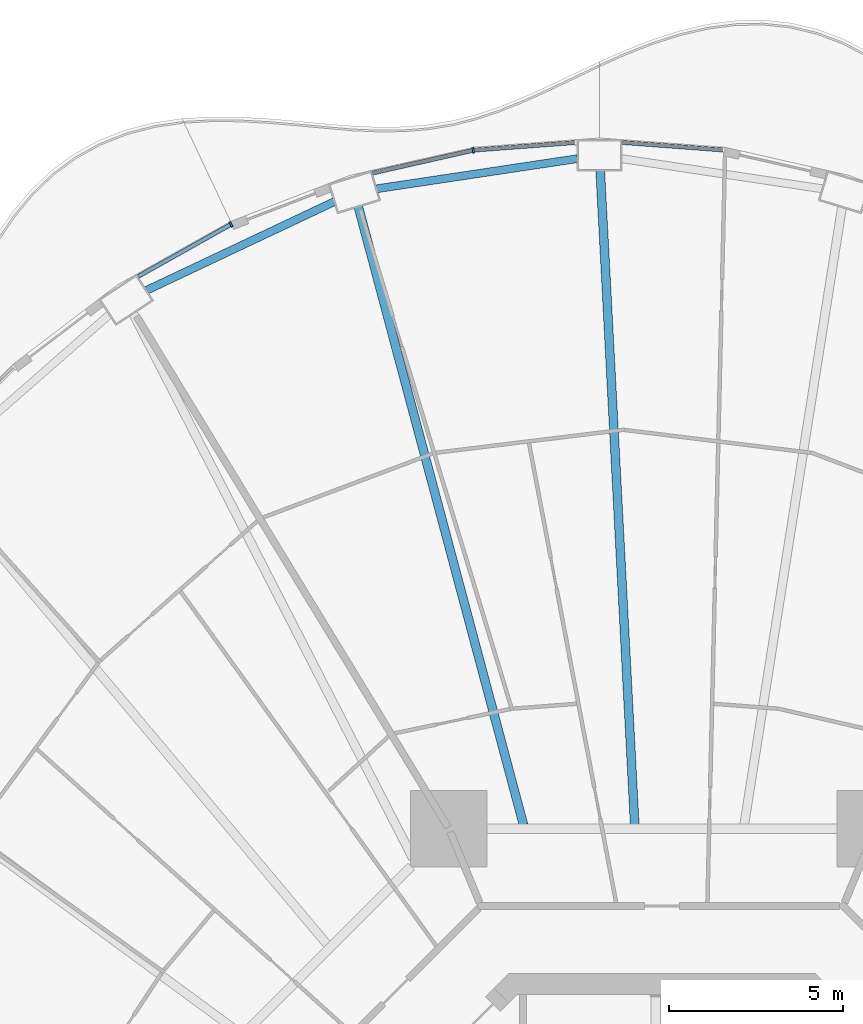
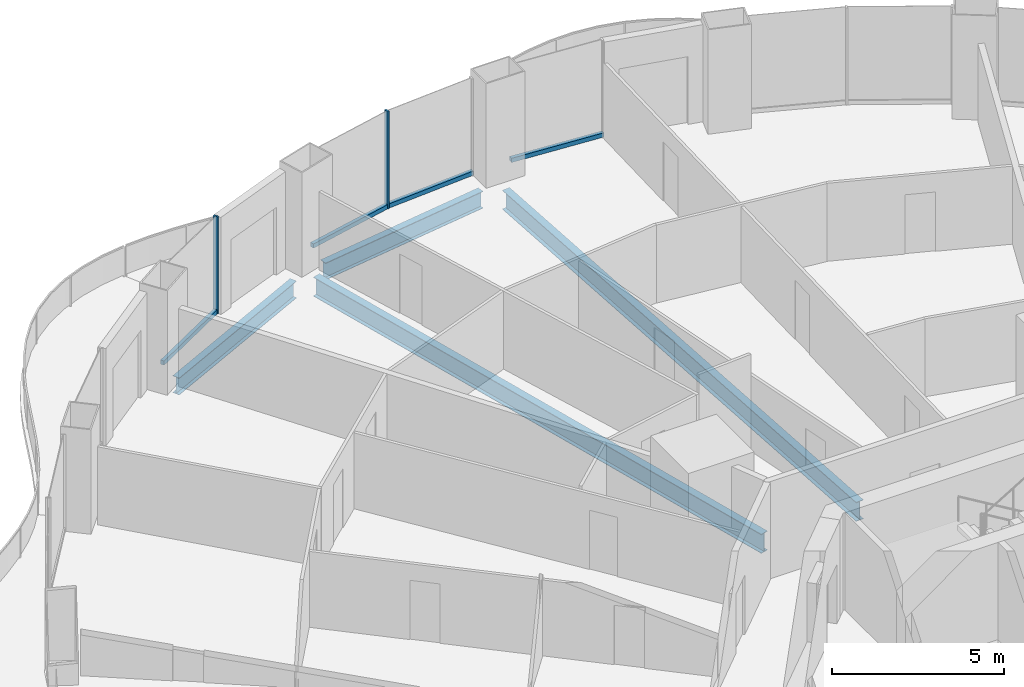
# One storey, part 9 of 22: 6 members, 4 beams, 4 elements without a shape of their own.
"""IFC4 building model written with IfcOpenShell, lengths in metres."""

from ifc_helpers import new_model, si_unit, direction, frame, origin, origin_2d, place, context, subcontext, project, spatial, rectangle, i_section, extrude, material, layer, layer_set, material_profile, profile_set, type_object, element, aggregate, save


model = new_model("IFC4")

# Units and contexts
model_context = context("Model", 3, precision=1e-05, world=origin(), true_north=direction((0.0, 1.0)))
body_context = subcontext(model_context, "Body", "Model", "MODEL_VIEW")
ifc_project = project(units=[si_unit("LENGTHUNIT", "METRE"), si_unit("AREAUNIT", "SQUARE_METRE"), si_unit("VOLUMEUNIT", "CUBIC_METRE"), si_unit("PLANEANGLEUNIT", "RADIAN"), si_unit("MASSUNIT", "GRAM", prefix="KILO")], contexts=[model_context])

# Site, building, storey
site_placement = place(None, origin())
site = spatial("IfcSite", under=ifc_project, at=site_placement, CompositionType="ELEMENT")
building_placement = place(site_placement, origin())
building = spatial("IfcBuilding", under=site, at=building_placement, Name="Nagisa Residences", CompositionType="ELEMENT")
storey_placement = place(building_placement, frame((0.0, 0.0, 95.5)))
storey = spatial("IfcBuildingStorey", under=building, at=storey_placement, Name="L23", CompositionType="ELEMENT", Elevation=95.5)

# Curtain wall, member
ifc_material_1 = material(Name="Concrete-coloured aluminium curtain wall system", Category="concrete")
ifc_layer = layer(ifc_material_1, 0.159912109375)
ifc_layer_set = layer_set([ifc_layer], Name="CW1 CURTAIN WALL")
curtain_wall_type = type_object("IfcCurtainWallType", Name="CW1 CURTAIN WALL", PredefinedType="NOTDEFINED", material=ifc_layer_set)
curtain_wall_1_placement = place(storey_placement, origin())
curtain_wall_1 = element("IfcCurtainWall", 1, at=curtain_wall_1_placement, inside=storey, type_object=curtain_wall_type, Name="cw:CW1:L23:13", PredefinedType="NOTDEFINED")
ifc_material_2 = material(Name="Concrete-coloured aluminium", Category="concrete")
ifc_material_profile_1 = material_profile(ifc_material_2, rectangle(XDim=0.159912109375, YDim=0.06005859375, at=origin_2d()), Name="CW1 MULLION 160x60")
ifc_profile_set_1 = profile_set([ifc_material_profile_1], Name="Concrete-coloured aluminium")
member_type_1 = type_object("IfcMemberType", Name="CW1 MULLION 160x60", PredefinedType="MULLION", material=ifc_profile_set_1)
member_1_placement = place(storey_placement, frame((-5.426513671875, 34.2783203125, 0.0), z_axis=(0.0, 0.0, 1.0), x_axis=(0.2207639201, -0.975327274089, 0.0)))
member_1 = element("IfcMember", 2, at=member_1_placement, type_object=member_type_1, Name="CW1 mullion", PredefinedType="MULLION", context=body_context, shape_type="SweptSolid", body=[
    extrude(rectangle(XDim=0.159912109375, YDim=0.06005859375, at=origin_2d()), origin(), (0.0, 0.0, 1.0), 3.43994140625),
])

curtain_wall_2_placement = place(storey_placement, origin())
curtain_wall_2 = element("IfcCurtainWall", 3, at=curtain_wall_2_placement, inside=storey, type_object=curtain_wall_type, Name="cw:CW1:L23:15", PredefinedType="NOTDEFINED")
member_2_placement = place(storey_placement, frame((-12.385498046875, 32.1494140625, 0.0), z_axis=(0.0, 0.0, 1.0), x_axis=(0.489376918501, -0.872072377523, 0.0)))
member_2 = element("IfcMember", 4, at=member_2_placement, type_object=member_type_1, Name="CW1 mullion", PredefinedType="MULLION", context=body_context, shape_type="SweptSolid", body=[
    extrude(rectangle(XDim=0.159912109375, YDim=0.06005859375, at=origin_2d()), origin(), (0.0, 0.0, 1.0), 3.43994140625),
])

curtain_wall_3_placement = place(storey_placement, origin())
curtain_wall_3 = element("IfcCurtainWall", 5, at=curtain_wall_3_placement, inside=storey, type_object=curtain_wall_type, Name="cw:CW1:L23:11", PredefinedType="NOTDEFINED")
ifc_material_3 = material(Name="Concrete-coloured aluminium", Category="concrete")
ifc_material_profile_2 = material_profile(ifc_material_3, rectangle(XDim=0.1201171875, YDim=0.14990234375, at=origin_2d()), Name="CW1 TRANSOM 120x150")
ifc_profile_set_2 = profile_set([ifc_material_profile_2], Name="Concrete-coloured aluminium")
member_type_2 = type_object("IfcMemberType", Name="CW1 TRANSOM 120x150", PredefinedType="USERDEFINED", material=ifc_profile_set_2)
member_3_placement = place(storey_placement, frame((1.80908203125, 34.283203125, 0.074951171875), z_axis=(-0.997226174467, 0.074430887117, 0.0), x_axis=(-0.074430887117, -0.997226174467, 0.0)))
member_3 = element("IfcMember", 6, at=member_3_placement, type_object=member_type_2, Name="CW1 transom", ObjectType="TRANSOM", PredefinedType="USERDEFINED", context=body_context, shape_type="SweptSolid", body=[
    extrude(rectangle(XDim=0.1201171875, YDim=0.14990234375, at=origin_2d()), origin(), (0.0, 0.0, 1.0), 2.97509765625),
])
aggregate(curtain_wall_3, [member_3])

curtain_wall_4_placement = place(storey_placement, origin())
curtain_wall_4 = element("IfcCurtainWall", 7, at=curtain_wall_4_placement, inside=storey, type_object=curtain_wall_type, Name="cw:CW1:L23:12", PredefinedType="NOTDEFINED")
member_4_placement = place(storey_placement, frame((-2.442138671875, 34.504638671875, 0.074951171875), z_axis=(-0.997226174467, -0.074430887117, 0.0), x_axis=(0.074430887117, -0.997226174467, 0.0)))
member_4 = element("IfcMember", 8, at=member_4_placement, type_object=member_type_2, Name="CW1 transom", ObjectType="TRANSOM", PredefinedType="USERDEFINED", context=body_context, shape_type="SweptSolid", body=[
    extrude(rectangle(XDim=0.1201171875, YDim=0.14990234375, at=origin_2d()), origin(), (0.0, 0.0, 1.0), 2.97509765625),
])
aggregate(curtain_wall_4, [member_4])

# Member
member_5_placement = place(storey_placement, frame((-5.397216796875, 34.28515625, 0.074951171875), z_axis=(-0.975317607872, -0.220806620767, 0.0), x_axis=(0.220806620767, -0.975317607872, 0.0)))
member_5 = element("IfcMember", 9, at=member_5_placement, type_object=member_type_2, Name="CW1 transom", ObjectType="TRANSOM", PredefinedType="USERDEFINED", context=body_context, shape_type="SweptSolid", body=[
    extrude(rectangle(XDim=0.1201171875, YDim=0.14990234375, at=origin_2d()), origin(), (0.0, 0.0, 1.0), 2.9931640625),
])

aggregate(curtain_wall_1, [member_1, member_5])

member_6_placement = place(storey_placement, frame((-12.359375, 32.1640625, 0.074951171875), z_axis=(-0.872037280335, -0.489439456631, 0.0), x_axis=(0.489439456631, -0.872037280335, 0.0)))
member_6 = element("IfcMember", 10, at=member_6_placement, type_object=member_type_2, Name="CW1 transom", ObjectType="TRANSOM", PredefinedType="USERDEFINED", context=body_context, shape_type="SweptSolid", body=[
    extrude(rectangle(XDim=0.1201171875, YDim=0.14990234375, at=origin_2d()), origin(), (0.0, 0.0, 1.0), 3.07568359375),
])

aggregate(curtain_wall_2, [member_2, member_6])

# Beams
ifc_material_4 = material(Name="Steel ASTM A572 Gr 50", Category="steel")
ifc_material_profile_3 = material_profile(ifc_material_4, i_section(OverallWidth=0.22802734375, OverallDepth=0.60302734375, WebThickness=0.010498046875, FlangeThickness=0.014892578125, at=origin_2d()), Name="W610x101")
ifc_profile_set_3 = profile_set([ifc_material_profile_3], Name="Steel ASTM A572 Gr 50")
beam_type_1 = type_object("IfcBeamType", Name="Perimeter ring beam W610x101", PredefinedType="BEAM", material=ifc_profile_set_3)
beam_1_placement = place(storey_placement, frame((-2.43017578125, 34.0380859375, -0.5615234375), z_axis=(-0.988913048607, -0.148495731568, 0.0), x_axis=(0.148495731568, -0.988913048607, 0.0)))
element("IfcBeam", 11, at=beam_1_placement, inside=storey, type_object=beam_type_1, Name="beam:L23:pb07", PredefinedType="BEAM", context=body_context, shape_type="SweptSolid", body=[
    extrude(i_section(OverallWidth=0.22802734375, OverallDepth=0.60302734375, WebThickness=0.010498046875, FlangeThickness=0.014892578125, at=origin_2d()), origin(), (0.0, 0.0, 1.0), 5.843017578125),
])
beam_2_placement = place(storey_placement, frame((-9.41455078125, 32.8037109375, -0.5615234375), z_axis=(-0.90418952838, -0.427131474804, 0.0), x_axis=(0.427131474804, -0.90418952838, 0.0)))
element("IfcBeam", 12, at=beam_2_placement, inside=storey, type_object=beam_type_1, Name="beam:L23:pb08", PredefinedType="BEAM", context=body_context, shape_type="SweptSolid", body=[
    extrude(i_section(OverallWidth=0.22802734375, OverallDepth=0.60302734375, WebThickness=0.010498046875, FlangeThickness=0.014892578125, at=origin_2d()), origin(), (0.0, 0.0, 1.0), 5.98046875),
])
ifc_material_5 = material(Name="Steel ASTM A572 Gr 50", Category="steel")
ifc_material_profile_4 = material_profile(ifc_material_5, i_section(OverallWidth=0.2529296875, OverallDepth=0.677978515625, WebThickness=0.01171875, FlangeThickness=0.016357421875, at=origin_2d()), Name="W690x125")
ifc_profile_set_4 = profile_set([ifc_material_profile_4], Name="Steel ASTM A572 Gr 50")
beam_type_2 = type_object("IfcBeamType", Name="Radial beam W690x125", PredefinedType="BEAM", material=ifc_profile_set_4)
beam_3_placement = place(storey_placement, frame((-1.77734375, 33.70263671875, -0.59912109375), z_axis=(0.05266700958, -0.998612129959, 0.0), x_axis=(0.998612129959, 0.05266700958, 0.0)))
element("IfcBeam", 13, at=beam_3_placement, inside=storey, type_object=beam_type_2, Name="beam:L23:rb07", PredefinedType="BEAM", context=body_context, shape_type="SweptSolid", body=[
    extrude(i_section(OverallWidth=0.2529296875, OverallDepth=0.677978515625, WebThickness=0.01171875, FlangeThickness=0.016357421875, at=origin_2d()), origin(), (0.0, 0.0, 1.0), 18.834228515625),
])
beam_4_placement = place(storey_placement, frame((-8.7275390625, 32.66015625, -0.59912109375), z_axis=(0.258170831181, -0.96609928161, 0.0), x_axis=(0.96609928161, 0.258170831181, 0.0)))
element("IfcBeam", 14, at=beam_4_placement, inside=storey, type_object=beam_type_2, Name="beam:L23:rb08", PredefinedType="BEAM", context=body_context, shape_type="SweptSolid", body=[
    extrude(i_section(OverallWidth=0.2529296875, OverallDepth=0.677978515625, WebThickness=0.01171875, FlangeThickness=0.016357421875, at=origin_2d()), origin(), (0.0, 0.0, 1.0), 18.38818359375),
])

save(model, "model.ifc")
